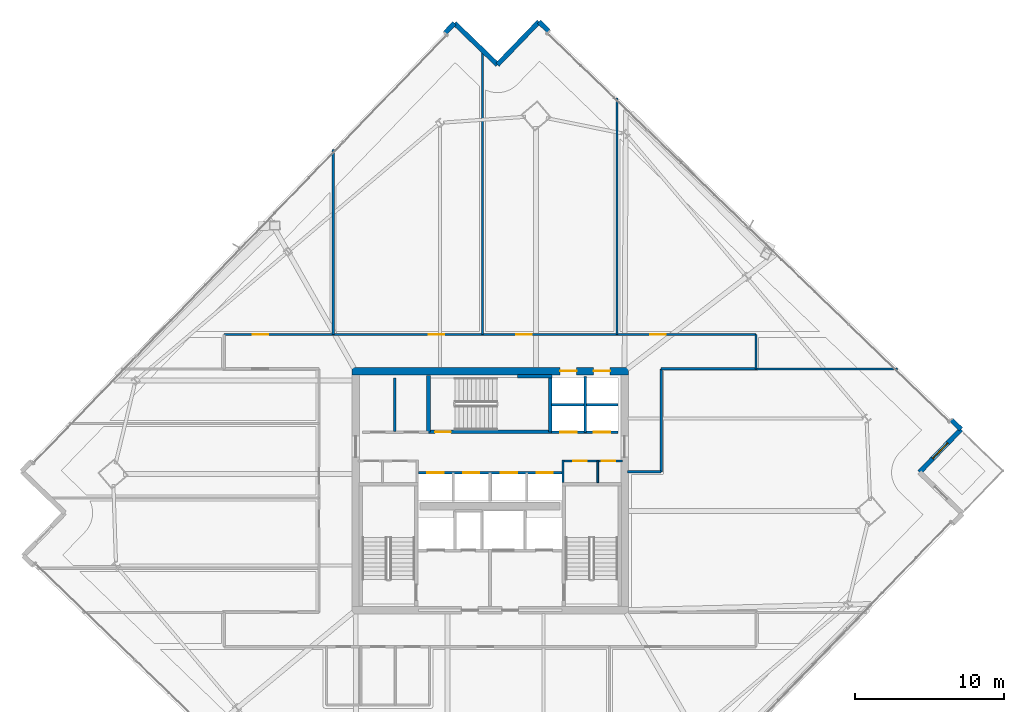
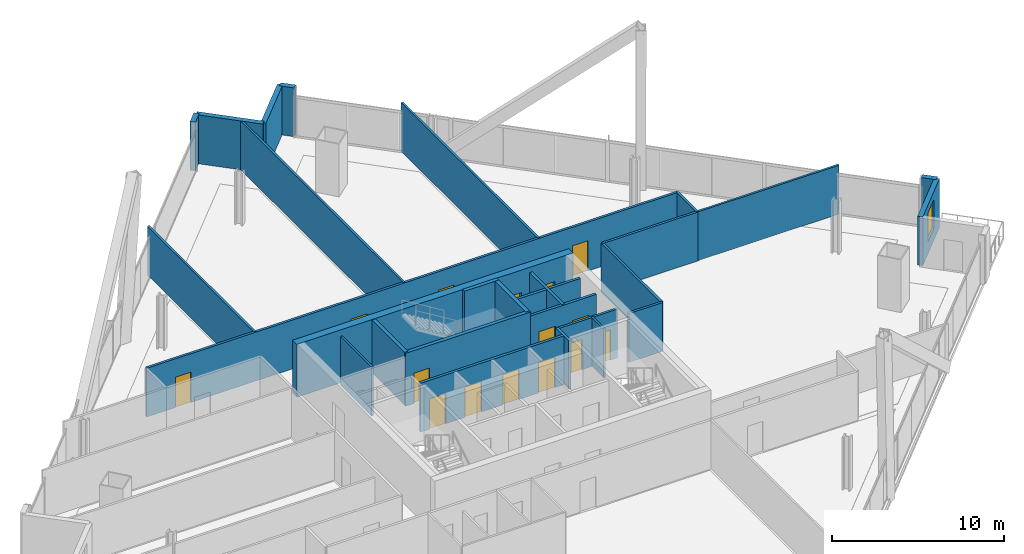
# One storey, part 27 of 33: 28 walls, 15 doors, 1 window, 16 openings.
"""IFC4 building model written with IfcOpenShell, lengths in metres."""

import ifcopenshell
import ifcopenshell.guid

model = None  # the IFC model being written
_history = None  # IfcOwnerHistory: only IFC2X3 demands one
_inside = {}  # id of a spatial element -> (the spatial element, [elements in it])
_under = {}  # id of a project, library or spatial element -> (it, [spatial elements below it])
_declared = {}  # id of a project -> (the project, [libraries it declares])
_typed = {}  # id of a type object -> (the type object, [elements of that type])
_made_of = {}  # id of a material, layer set ... -> (it, [elements and type objects made of it])


def new_model(schema):
    """Start an empty IFC model of exactly this schema.

    Asked for "IFC4X3", IfcOpenShell would pick the latest addendum, in which some entities
    have other attributes; the version numbers below select the first issue.
    IFC2X3 requires an IfcOwnerHistory on every rooted entity: one is made here for all.
    """
    global model, _history
    if schema == "IFC4X3":
        model = ifcopenshell.file(schema_version=(4, 3, 0, 0))
    else:
        model = ifcopenshell.file(schema=schema)
    _inside.clear()
    _under.clear()
    _declared.clear()
    _typed.clear()
    _made_of.clear()
    _history = None
    if model.schema == "IFC2X3":
        org = make("IfcOrganization", Name="unknown")
        user = make(
            "IfcPersonAndOrganization",
            ThePerson=make("IfcPerson", FamilyName="unknown"),
            TheOrganization=org,
        )
        app = make(
            "IfcApplication",
            ApplicationDeveloper=org,
            Version="unknown",
            ApplicationFullName="unknown",
            ApplicationIdentifier="unknown",
        )
        _history = make(
            "IfcOwnerHistory",
            OwningUser=user,
            OwningApplication=app,
            ChangeAction="ADDED",
            CreationDate=0,
        )
    return model


def make(cls, **values):
    """One entity of the class cls with the attributes given. An attribute that is None is left unset."""
    return model.create_entity(
        cls, **{name: value for name, value in values.items() if value is not None}
    )


def rooted(cls, **values):
    """An entity with a GlobalId (a new one), such as an element, a storey or a relation."""
    return make(cls, GlobalId=ifcopenshell.guid.new(), OwnerHistory=_history, **values)


def si_unit(unit_type, name, prefix=None):
    """IfcSIUnit, for example si_unit("LENGTHUNIT", "METRE", prefix="MILLI")."""
    return make("IfcSIUnit", UnitType=unit_type, Prefix=prefix, Name=name)


def assignment(units):
    """IfcUnitAssignment: the units of a project."""
    return None if units is None else make("IfcUnitAssignment", Units=units)


def point(xyz):
    """IfcCartesianPoint."""
    return None if xyz is None else make("IfcCartesianPoint", Coordinates=xyz)


def direction(xyz):
    """IfcDirection."""
    return None if xyz is None else make("IfcDirection", DirectionRatios=xyz)


def frame(location, z_axis=None, x_axis=None):
    """IfcAxis2Placement3D, a coordinate frame: its origin and axes. An axis left out is left unset."""
    return make(
        "IfcAxis2Placement3D",
        Location=point(location),
        Axis=direction(z_axis),
        RefDirection=direction(x_axis),
    )


def frame_2d(location, x_axis=None):
    """IfcAxis2Placement2D, a coordinate frame in the plane: its origin and x axis."""
    return make(
        "IfcAxis2Placement2D", Location=point(location), RefDirection=direction(x_axis)
    )


def origin():
    """The frame at (0, 0, 0) with its axes left unset."""
    return frame((0.0, 0.0, 0.0))


def place(relative_to, where):
    """IfcLocalPlacement: puts the frame where relative to a parent placement (None: the world)."""
    return make(
        "IfcLocalPlacement", PlacementRelTo=relative_to, RelativePlacement=where
    )


def context(
    kind, dimensions, precision=None, world=None, true_north=None, identifier=None
):
    """IfcGeometricRepresentationContext, for example the 3D "Model" context."""
    return make(
        "IfcGeometricRepresentationContext",
        ContextIdentifier=identifier,
        ContextType=kind,
        CoordinateSpaceDimension=dimensions,
        Precision=precision,
        WorldCoordinateSystem=world,
        TrueNorth=true_north,
    )


def subcontext(parent, identifier, kind, view, scale=None):
    """IfcGeometricRepresentationSubContext, for example "Body" below "Model"."""
    return make(
        "IfcGeometricRepresentationSubContext",
        ContextIdentifier=identifier,
        ContextType=kind,
        ParentContext=parent,
        TargetScale=scale,
        TargetView=view,
    )


def project(units=None, contexts=None):
    """IfcProject with its units and contexts."""
    return rooted(
        "IfcProject",
        Name="project",
        RepresentationContexts=contexts,
        UnitsInContext=assignment(units),
    )


def spatial(cls, under=None, at=None, **own):
    """A site, building, storey or space (cls), placed at a placement, below another one or the project."""
    s = rooted(cls, ObjectPlacement=at, **own)
    if under is not None:
        _under.setdefault(under.id(), (under, []))[1].append(s)
    return s


def profile(cls, at=None, kind="AREA", **sizes):
    """A parametric profile (cls). Its sizes go by their IFC names, for example OverallWidth=200.0."""
    return make(cls, ProfileType=kind, Position=at, **sizes)


def rectangle(**sizes):
    """IfcRectangleProfileDef."""
    return profile("IfcRectangleProfileDef", **sizes)


def extrude(swept, where, along, depth):
    """IfcExtrudedAreaSolid: the profile swept, set in the frame where, extruded along a direction by depth."""
    return make(
        "IfcExtrudedAreaSolid",
        SweptArea=swept,
        Position=where,
        ExtrudedDirection=direction(along),
        Depth=depth,
    )


def shape(context_of_items, identifier, shape_type, items):
    """IfcShapeRepresentation: the items that make up one representation, for example the "Body"."""
    return make(
        "IfcShapeRepresentation",
        ContextOfItems=context_of_items,
        RepresentationIdentifier=identifier,
        RepresentationType=shape_type,
        Items=items,
    )


def material(Name=None, Category=None):
    """IfcMaterial."""
    return make("IfcMaterial", Name=Name, Category=Category)


def layer(
    of_material, thickness, ventilated=None, Name=None, Category=None, Priority=None
):
    """IfcMaterialLayer: one layer of a wall or slab, of a material (None: an air gap)."""
    return make(
        "IfcMaterialLayer",
        Material=of_material,
        LayerThickness=thickness,
        IsVentilated=ventilated,
        Name=Name,
        Category=Category,
        Priority=Priority,
    )


def layer_set(layers, Name=None):
    """IfcMaterialLayerSet."""
    return make("IfcMaterialLayerSet", MaterialLayers=layers, LayerSetName=Name)


def made_of(thing, what):
    """Note that an element or type object is made of a material, layer set ...; save() writes the relation."""
    if what is not None:
        _made_of.setdefault(what.id(), (what, []))[1].append(thing)
    return thing


def type_object(cls, material=None, **own):
    """A type object (cls), such as IfcWallType, which elements share."""
    return made_of(rooted(cls, **own), material)


def element(
    cls,
    number,
    at=None,
    inside=None,
    cuts=None,
    type_object=None,
    material=None,
    context=None,
    identifier="Body",
    shape_type=None,
    held_by="IfcProductDefinitionShape",
    body=None,
    shapes=None,
    **own,
):
    """One element of the class cls, such as IfcWall. Its Tag is "e" and its number.

    at: its placement. inside: the storey or other place that contains it. cuts: it is an
    opening in that element (IfcRelVoidsElement). A single representation is given by context,
    identifier, shape_type and body (its items); several are given by shapes. held_by: the class
    of the entity that holds the representations. save() writes the other relations.
    """
    e = rooted(cls, Tag="e%d" % number, ObjectPlacement=at, **own)
    if body is not None:
        shapes = [shape(context, identifier, shape_type, body)]
    if shapes is not None:
        e.Representation = make(held_by, Representations=shapes)
    if inside is not None:
        _inside.setdefault(inside.id(), (inside, []))[1].append(e)
    if cuts is not None:
        rooted(
            "IfcRelVoidsElement", RelatingBuildingElement=cuts, RelatedOpeningElement=e
        )
    if type_object is not None:
        _typed.setdefault(type_object.id(), (type_object, []))[1].append(e)
    return made_of(e, material)


def fill(opening, filler):
    """IfcRelFillsElement: the door or window that sits in an opening."""
    return rooted(
        "IfcRelFillsElement",
        RelatingOpeningElement=opening,
        RelatedBuildingElement=filler,
    )


def aggregate(whole, parts):
    """IfcRelAggregates: a whole, such as a stair, and the parts it consists of."""
    return rooted("IfcRelAggregates", RelatingObject=whole, RelatedObjects=parts)


def save(model, path):
    """Write the relations noted so far, then the file.

    IfcRelAggregates (storeys below a building ...), IfcRelContainedInSpatialStructure (elements
    in a storey), IfcRelDefinesByType, IfcRelAssociatesMaterial and IfcRelDeclares: one each for
    every whole, place, type object, material and project.
    """
    for whole, parts in _under.values():
        aggregate(whole, parts)
    for where, things in _inside.values():
        rooted(
            "IfcRelContainedInSpatialStructure",
            RelatedElements=things,
            RelatingStructure=where,
        )
    for kind, things in _typed.values():
        rooted("IfcRelDefinesByType", RelatedObjects=things, RelatingType=kind)
    for what, things in _made_of.values():
        rooted("IfcRelAssociatesMaterial", RelatedObjects=things, RelatingMaterial=what)
    for by, libraries in _declared.values():
        rooted("IfcRelDeclares", RelatingContext=by, RelatedDefinitions=libraries)
    model.write(path)


model = new_model("IFC4")

# Units and contexts
model_context = context("Model", 3, precision=1e-05, world=origin(), true_north=direction((0.0, 1.0)))
body_context = subcontext(model_context, "Body", "Model", "MODEL_VIEW")
ifc_project = project(units=[si_unit("LENGTHUNIT", "METRE"), si_unit("AREAUNIT", "SQUARE_METRE"), si_unit("VOLUMEUNIT", "CUBIC_METRE"), si_unit("PLANEANGLEUNIT", "RADIAN"), si_unit("MASSUNIT", "GRAM", prefix="KILO")], contexts=[model_context])

# Site, building, storey
site_placement = place(None, origin())
site = spatial("IfcSite", under=ifc_project, at=site_placement, CompositionType="ELEMENT")
building_placement = place(site_placement, origin())
building = spatial("IfcBuilding", under=site, at=building_placement, Name="Haldenkirk Collegiate Tower", CompositionType="ELEMENT")
storey_placement = place(building_placement, frame((0.0, 0.0, 181.949951171875)))
storey = spatial("IfcBuildingStorey", under=building, at=storey_placement, Name="L45", CompositionType="ELEMENT", Elevation=181.949951171875)

# Wall, openings, doors
ifc_material_1 = material(Name="Concrete f'c 55 MPa", Category="concrete")
ifc_layer_1 = layer(ifc_material_1, 0.5)
ifc_layer_set_1 = layer_set([ifc_layer_1], Name="Concrete f'c 55 MPa")
wall_type_1 = type_object("IfcWallType", Name="WL-CORE-500", PredefinedType="SHEAR", material=ifc_layer_set_1)
wall_1_placement = place(storey_placement, frame((26.75, 34.0, 0.0), z_axis=(0.0, 0.0, 1.0), x_axis=(1.0, 0.0, 0.0)))
wall_1 = element("IfcWall", 1, at=wall_1_placement, inside=storey, type_object=wall_type_1, Name="L45 central core shear wall N", PredefinedType="SHEAR", context=body_context, shape_type="SweptSolid", body=[
    extrude(rectangle(XDim=18.5, YDim=0.5, at=frame_2d((9.25, 0.0))), origin(), (0.0, 0.0, 1.0), 3.75),
])
opening_1_placement = place(wall_1_placement, frame((13.93505859375, 0.0, 0.0)))
opening_1 = element("IfcOpeningElement", 2, at=opening_1_placement, cuts=wall_1, Name="Opening LD-11", PredefinedType="OPENING", context=body_context, shape_type="SweptSolid", body=[
    extrude(rectangle(XDim=1.10009765625, YDim=2.14990234375, at=frame_2d((0.550048828125, 1.074951171875))), frame((0.0, 0.260009765625, 0.0), z_axis=(0.0, -1.0, 0.0), x_axis=(1.0, 0.0, 0.0)), (0.0, 0.0, 1.0), 0.52001953125),
])
opening_2_placement = place(wall_1_placement, frame((16.18505859375, 0.0, 0.0)))
opening_2 = element("IfcOpeningElement", 3, at=opening_2_placement, cuts=wall_1, Name="Opening LD-11", PredefinedType="OPENING", context=body_context, shape_type="SweptSolid", body=[
    extrude(rectangle(XDim=1.10009765625, YDim=2.14990234375, at=frame_2d((0.550048828125, 1.074951171875))), frame((0.0, 0.260009765625, 0.0), z_axis=(0.0, -1.0, 0.0), x_axis=(1.0, 0.0, 0.0)), (0.0, 0.0, 1.0), 0.52001953125),
])
ifc_material_2 = material(Name="Brushed architectural stainless steel", Category="steel")
ifc_layer_2 = layer(ifc_material_2, 0.06005859375)
ifc_layer_set_2 = layer_set([ifc_layer_2], Name="Brushed architectural stainless steel")
door_type_1 = type_object("IfcDoorType", Name="LD-PASS-1100", OperationType="NOTDEFINED", PredefinedType="DOOR", material=ifc_layer_set_2)
door_1_placement = place(opening_1_placement, origin())
door_1 = element("IfcDoor", 4, at=door_1_placement, inside=storey, type_object=door_type_1, Name="L45 Elevator PM3 sliding landing door", OperationType="SLIDING_TO_LEFT", OverallHeight=2.14990234375, OverallWidth=1.10009765625, PredefinedType="DOOR", context=body_context, shape_type="SweptSolid", body=[
    extrude(rectangle(XDim=1.10009765625, YDim=2.14990234375, at=frame_2d((0.550048828125, 1.074951171875))), frame((0.0, 0.02490234375, 0.0), z_axis=(0.0, -1.0, 0.0), x_axis=(1.0, 0.0, 0.0)), (0.0, 0.0, 1.0), 0.050048828125),
])
fill(opening_1, door_1)
door_2_placement = place(opening_2_placement, origin())
door_2 = element("IfcDoor", 5, at=door_2_placement, inside=storey, type_object=door_type_1, Name="L45 Elevator PM4 sliding landing door", OperationType="SLIDING_TO_LEFT", OverallHeight=2.14990234375, OverallWidth=1.10009765625, PredefinedType="DOOR", context=body_context, shape_type="SweptSolid", body=[
    extrude(rectangle(XDim=1.10009765625, YDim=2.14990234375, at=frame_2d((0.550048828125, 1.074951171875))), frame((0.0, 0.02490234375, 0.0), z_axis=(0.0, -1.0, 0.0), x_axis=(1.0, 0.0, 0.0)), (0.0, 0.0, 1.0), 0.050048828125),
])
fill(opening_2, door_2)

# Wall, opening, window
ifc_material_3 = material(Name="Precast concrete f'c 40 MPa", Category="concrete")
ifc_layer_3 = layer(ifc_material_3, 0.320068359375)
ifc_layer_set_3 = layer_set([ifc_layer_3], Name="Precast concrete f'c 40 MPa")
wall_type_2 = type_object("IfcWallType", Name="WL-EXT-TWR-320", PredefinedType="STANDARD", material=ifc_layer_set_3)
wall_2_placement = place(storey_placement, frame((67.523193359375, 30.10400390625, 0.0), z_axis=(0.0, 0.0, 1.0), x_axis=(-0.694670753348, -0.719327842116, 0.0)))
wall_2 = element("IfcWall", 6, at=wall_2_placement, inside=storey, type_object=wall_type_2, Name="L45 bronze precast notch wall 03", PredefinedType="STANDARD", context=body_context, shape_type="SweptSolid", body=[
    extrude(rectangle(XDim=4.000244140625, YDim=0.320068359375, at=frame_2d((2.0, 0.0))), origin(), (0.0, 0.0, 1.0), 3.4599609375),
])
opening_3_placement = place(wall_2_placement, frame((1.27490234375, 0.0, 0.85009765625)))
opening_3 = element("IfcOpeningElement", 7, at=opening_3_placement, cuts=wall_2, Name="Opening W-05", PredefinedType="OPENING", context=body_context, shape_type="SweptSolid", body=[
    extrude(rectangle(XDim=1.449951171875, YDim=2.050048828125, at=frame_2d((0.72509765625, 1.02490234375))), frame((0.0, 0.169921875, 0.0), z_axis=(0.0, -1.0, 0.0), x_axis=(1.0, 0.0, 0.0)), (0.0, 0.0, 1.0), 0.340087890625),
])
ifc_material_4 = material(Name="Low-E argon triple insulating glass", Category="glass")
ifc_layer_4 = layer(ifc_material_4, 0.090087890625)
ifc_layer_set_4 = layer_set([ifc_layer_4], Name="Low-E argon triple insulating glass")
window_type = type_object("IfcWindowType", Name="WN-Z3-1450X2050", PartitioningType="SINGLE_PANEL", PredefinedType="WINDOW", material=ifc_layer_set_4)
window_placement = place(opening_3_placement, origin())
window = element("IfcWindow", 8, at=window_placement, inside=storey, type_object=window_type, Name="L45 precast-frame academic window 2", OverallHeight=2.050048828125, OverallWidth=1.449951171875, PartitioningType="SINGLE_PANEL", PredefinedType="WINDOW", context=body_context, shape_type="SweptSolid", body=[
    extrude(rectangle(XDim=1.449951171875, YDim=2.050048828125, at=frame_2d((0.72509765625, 1.02490234375))), frame((0.0, 0.030029296875, 0.0), z_axis=(0.0, -1.0, 0.0), x_axis=(1.0, 0.0, 0.0)), (0.0, 0.0, 1.0), 0.06005859375),
])
fill(opening_3, window)

# Walls
for number, where, z_axis, x_axis, name in (
    (9, (39.27099609375, 57.38671875, 0.0), (0.0, 0.0, 1.0), (0.719340699073, -0.694657439791, 0.0), "L45 precast corner pier EL"),
    (10, (66.875732421875, 30.729248046875, 0.0), (0.0, 0.0, 1.0), (0.719340699073, -0.694657439791, 0.0), "L45 precast corner pier ER"),
):
    element("IfcWall", number, at=place(storey_placement, frame(where, z_axis=z_axis, x_axis=x_axis)), inside=storey, type_object=wall_type_2, Name=name, PredefinedType="STANDARD", context=body_context, shape_type="SweptSolid", body=[
        extrude(rectangle(XDim=0.900146484375, YDim=0.320068359375, at=frame_2d((0.4501953125, 0.0))), origin(), (0.0, 0.0, 1.0), 3.4599609375),
    ])
wall_3_placement = place(storey_placement, frame((36.492431640625, 54.50927734375, 0.0), z_axis=(0.0, 0.0, 1.0), x_axis=(0.694639171191, 0.719358340361, 0.0)))
element("IfcWall", 11, at=wall_3_placement, inside=storey, type_object=wall_type_2, Name="L45 bronze precast notch wall 05", PredefinedType="STANDARD", context=body_context, shape_type="SweptSolid", body=[
    extrude(rectangle(XDim=4.0, YDim=0.320068359375, at=frame_2d((2.0, 0.0))), origin(), (0.0, 0.0, 1.0), 3.4599609375),
])
wall_4_placement = place(storey_placement, frame((33.614990234375, 57.2880859375, 0.0), z_axis=(0.0, 0.0, 1.0), x_axis=(0.719327842116, -0.694670753348, 0.0)))
element("IfcWall", 12, at=wall_4_placement, inside=storey, type_object=wall_type_2, Name="L45 bronze precast notch wall 06", PredefinedType="STANDARD", context=body_context, shape_type="SweptSolid", body=[
    extrude(rectangle(XDim=4.000244140625, YDim=0.320068359375, at=frame_2d((2.0, 0.0))), origin(), (0.0, 0.0, 1.0), 3.4599609375),
])
wall_5_placement = place(storey_placement, frame((32.989990234375, 56.640625, 0.0), z_axis=(0.0, 0.0, 1.0), x_axis=(0.69451704431, 0.71947625059, 0.0)))
element("IfcWall", 13, at=wall_5_placement, inside=storey, type_object=wall_type_2, Name="L45 precast corner pier NR", PredefinedType="STANDARD", context=body_context, shape_type="SweptSolid", body=[
    extrude(rectangle(XDim=0.89990234375, YDim=0.320068359375, at=frame_2d((0.449951171875, 0.0))), origin(), (0.0, 0.0, 1.0), 3.4599609375),
])

# Wall, openings, doors
ifc_material_5 = material(Name="Acoustic fire-rated gypsum partition", Category="concrete")
ifc_layer_5 = layer(ifc_material_5, 0.159912109375)
ifc_layer_set_5 = layer_set([ifc_layer_5], Name="Acoustic fire-rated gypsum partition")
wall_type_3 = type_object("IfcWallType", Name="WL-INT-CORR-160", PredefinedType="PARTITIONING", material=ifc_layer_set_5)
wall_6_placement = place(storey_placement, frame((40.800048828125, 27.97998046875, 0.0), z_axis=(0.0, 0.0, 1.0), x_axis=(1.0, 0.0, 0.0)))
wall_6 = element("IfcWall", 14, at=wall_6_placement, inside=storey, type_object=wall_type_3, Name="L45 interior partition IW-L45-VCSE-N", PredefinedType="PARTITIONING", context=body_context, shape_type="SweptSolid", body=[
    extrude(rectangle(XDim=4.050048828125, YDim=0.159912109375, at=frame_2d((2.02490234375, 0.0))), origin(), (0.0, 0.0, 1.0), 3.4599609375),
])
opening_4_placement = place(wall_6_placement, frame((0.77001953125, 0.0, 0.0)))
opening_4 = element("IfcOpeningElement", 15, at=opening_4_placement, cuts=wall_6, Name="Opening D-11", PredefinedType="OPENING", context=body_context, shape_type="SweptSolid", body=[
    extrude(rectangle(XDim=0.89990234375, YDim=2.14990234375, at=frame_2d((0.449951171875, 1.074951171875))), frame((0.0, 0.08984375, 0.0), z_axis=(0.0, -1.0, 0.0), x_axis=(1.0, 0.0, 0.0)), (0.0, 0.0, 1.0), 0.179931640625),
])
opening_5_placement = place(wall_6_placement, frame((2.679931640625, 0.0, 0.0)))
opening_5 = element("IfcOpeningElement", 16, at=opening_5_placement, cuts=wall_6, Name="Opening D-11", PredefinedType="OPENING", context=body_context, shape_type="SweptSolid", body=[
    extrude(rectangle(XDim=0.89990234375, YDim=2.14990234375, at=frame_2d((0.449951171875, 1.074951171875))), frame((0.0, 0.08984375, 0.0), z_axis=(0.0, -1.0, 0.0), x_axis=(1.0, 0.0, 0.0)), (0.0, 0.0, 1.0), 0.179931640625),
])
ifc_material_6 = material(Name="Solid-core architectural oak fire door", Category="wood")
ifc_layer_6 = layer(ifc_material_6, 0.06005859375)
ifc_layer_set_6 = layer_set([ifc_layer_6], Name="Solid-core architectural oak fire door")
door_type_2 = type_object("IfcDoorType", Name="DR-INT-FD60-900", OperationType="NOTDEFINED", PredefinedType="DOOR", material=ifc_layer_set_6)
door_3_placement = place(opening_4_placement, origin())
door_3 = element("IfcDoor", 17, at=door_3_placement, inside=storey, type_object=door_type_2, Name="L45 core archive door", OperationType="SINGLE_SWING_LEFT", OverallHeight=2.14990234375, OverallWidth=0.89990234375, PredefinedType="DOOR", context=body_context, shape_type="SweptSolid", body=[
    extrude(rectangle(XDim=0.89990234375, YDim=2.14990234375, at=frame_2d((0.449951171875, 1.074951171875))), frame((0.0, 0.02490234375, 0.0), z_axis=(0.0, -1.0, 0.0), x_axis=(1.0, 0.0, 0.0)), (0.0, 0.0, 1.0), 0.050048828125),
])
fill(opening_4, door_3)
door_4_placement = place(opening_5_placement, origin())
door_4 = element("IfcDoor", 18, at=door_4_placement, inside=storey, type_object=door_type_2, Name="L45 core telecom door", OperationType="SINGLE_SWING_RIGHT", OverallHeight=2.14990234375, OverallWidth=0.89990234375, PredefinedType="DOOR", context=body_context, shape_type="SweptSolid", body=[
    extrude(rectangle(XDim=0.89990234375, YDim=2.14990234375, at=frame_2d((0.449951171875, 1.074951171875))), frame((0.0, 0.02490234375, 0.0), z_axis=(0.0, -1.0, 0.0), x_axis=(1.0, 0.0, 0.0)), (0.0, 0.0, 1.0), 0.050048828125),
])
fill(opening_5, door_4)

# Wall
wall_7_placement = place(storey_placement, frame((40.8798828125, 26.5400390625, 0.0), z_axis=(0.0, 0.0, 1.0), x_axis=(0.0, 1.0, 0.0)))
element("IfcWall", 19, at=wall_7_placement, inside=storey, type_object=wall_type_3, Name="L45 interior partition IW-L45-VCSE-W", PredefinedType="PARTITIONING", context=body_context, shape_type="SweptSolid", body=[
    extrude(rectangle(XDim=1.510009765625, YDim=0.159912109375, at=frame_2d((0.7548828125, 0.0))), origin(), (0.0, 0.0, 1.0), 3.4599609375),
])

# Wall, openings, doors
wall_8_placement = place(storey_placement, frame((18.199951171875, 36.449951171875, 0.0), z_axis=(0.0, 0.0, 1.0), x_axis=(1.0, 0.0, 0.0)))
wall_8 = element("IfcWall", 20, at=wall_8_placement, inside=storey, type_object=wall_type_3, Name="L45 interior partition IW-L45-CN", PredefinedType="PARTITIONING", context=body_context, shape_type="SweptSolid", body=[
    extrude(rectangle(XDim=35.60009765625, YDim=0.159912109375, at=frame_2d((17.800048828125, 0.0))), origin(), (0.0, 0.0, 1.0), 3.4599609375),
])
opening_6_placement = place(wall_8_placement, frame((1.9169921875, 0.0, 0.0)))
opening_6 = element("IfcOpeningElement", 21, at=opening_6_placement, cuts=wall_8, Name="Opening D-09", PredefinedType="OPENING", context=body_context, shape_type="SweptSolid", body=[
    extrude(rectangle(XDim=1.050048828125, YDim=2.14990234375, at=frame_2d((0.52490234375, 1.074951171875))), frame((0.0, 0.08984375, 0.0), z_axis=(0.0, -1.0, 0.0), x_axis=(1.0, 0.0, 0.0)), (0.0, 0.0, 1.0), 0.179931640625),
])
opening_7_placement = place(wall_8_placement, frame((13.695068359375, 0.0, 0.0)))
opening_7 = element("IfcOpeningElement", 22, at=opening_7_placement, cuts=wall_8, Name="Opening D-09", PredefinedType="OPENING", context=body_context, shape_type="SweptSolid", body=[
    extrude(rectangle(XDim=1.050048828125, YDim=2.14990234375, at=frame_2d((0.52490234375, 1.074951171875))), frame((0.0, 0.08984375, 0.0), z_axis=(0.0, -1.0, 0.0), x_axis=(1.0, 0.0, 0.0)), (0.0, 0.0, 1.0), 0.179931640625),
])
opening_8_placement = place(wall_8_placement, frame((19.534912109375, 0.0, 0.0)))
opening_8 = element("IfcOpeningElement", 23, at=opening_8_placement, cuts=wall_8, Name="Opening D-09", PredefinedType="OPENING", context=body_context, shape_type="SweptSolid", body=[
    extrude(rectangle(XDim=1.050048828125, YDim=2.14990234375, at=frame_2d((0.52490234375, 1.074951171875))), frame((0.0, 0.08984375, 0.0), z_axis=(0.0, -1.0, 0.0), x_axis=(1.0, 0.0, 0.0)), (0.0, 0.0, 1.0), 0.179931640625),
])
opening_9_placement = place(wall_8_placement, frame((28.52490234375, 0.0, 0.0)))
opening_9 = element("IfcOpeningElement", 24, at=opening_9_placement, cuts=wall_8, Name="Opening D-09", PredefinedType="OPENING", context=body_context, shape_type="SweptSolid", body=[
    extrude(rectangle(XDim=1.050048828125, YDim=2.14990234375, at=frame_2d((0.52490234375, 1.074951171875))), frame((0.0, 0.08984375, 0.0), z_axis=(0.0, -1.0, 0.0), x_axis=(1.0, 0.0, 0.0)), (0.0, 0.0, 1.0), 0.179931640625),
])
ifc_layer_7 = layer(ifc_material_6, 0.06005859375)
ifc_layer_set_7 = layer_set([ifc_layer_7], Name="Solid-core architectural oak fire door")
door_type_3 = type_object("IfcDoorType", Name="DR-INT-FD60-1050", OperationType="NOTDEFINED", PredefinedType="DOOR", material=ifc_layer_set_7)
door_5_placement = place(opening_6_placement, origin())
door_5 = element("IfcDoor", 25, at=door_5_placement, inside=storey, type_object=door_type_3, Name="L45 Hospitality Tea Kitchen 3 door", OperationType="SINGLE_SWING_RIGHT", OverallHeight=2.14990234375, OverallWidth=1.050048828125, PredefinedType="DOOR", context=body_context, shape_type="SweptSolid", body=[
    extrude(rectangle(XDim=1.050048828125, YDim=2.14990234375, at=frame_2d((0.52490234375, 1.074951171875))), frame((0.0, 0.02490234375, 0.0), z_axis=(0.0, -1.0, 0.0), x_axis=(1.0, 0.0, 0.0)), (0.0, 0.0, 1.0), 0.050048828125),
])
fill(opening_6, door_5)
door_6_placement = place(opening_7_placement, origin())
door_6 = element("IfcDoor", 26, at=door_6_placement, inside=storey, type_object=door_type_3, Name="L45 Faculty Tea Kitchen 4 door", OperationType="SINGLE_SWING_LEFT", OverallHeight=2.14990234375, OverallWidth=1.050048828125, PredefinedType="DOOR", context=body_context, shape_type="SweptSolid", body=[
    extrude(rectangle(XDim=1.050048828125, YDim=2.14990234375, at=frame_2d((0.52490234375, 1.074951171875))), frame((0.0, 0.02490234375, 0.0), z_axis=(0.0, -1.0, 0.0), x_axis=(1.0, 0.0, 0.0)), (0.0, 0.0, 1.0), 0.050048828125),
])
fill(opening_7, door_6)
door_7_placement = place(opening_8_placement, origin())
door_7 = element("IfcDoor", 27, at=door_7_placement, inside=storey, type_object=door_type_3, Name="L45 Graduate Seminar Room 5 door", OperationType="SINGLE_SWING_RIGHT", OverallHeight=2.14990234375, OverallWidth=1.050048828125, PredefinedType="DOOR", context=body_context, shape_type="SweptSolid", body=[
    extrude(rectangle(XDim=1.050048828125, YDim=2.14990234375, at=frame_2d((0.52490234375, 1.074951171875))), frame((0.0, 0.02490234375, 0.0), z_axis=(0.0, -1.0, 0.0), x_axis=(1.0, 0.0, 0.0)), (0.0, 0.0, 1.0), 0.050048828125),
])
fill(opening_8, door_7)
door_8_placement = place(opening_9_placement, origin())
door_8 = element("IfcDoor", 28, at=door_8_placement, inside=storey, type_object=door_type_3, Name="L45 Colloquium Conference Room 6 door", OperationType="SINGLE_SWING_LEFT", OverallHeight=2.14990234375, OverallWidth=1.050048828125, PredefinedType="DOOR", context=body_context, shape_type="SweptSolid", body=[
    extrude(rectangle(XDim=1.050048828125, YDim=2.14990234375, at=frame_2d((0.52490234375, 1.074951171875))), frame((0.0, 0.02490234375, 0.0), z_axis=(0.0, -1.0, 0.0), x_axis=(1.0, 0.0, 0.0)), (0.0, 0.0, 1.0), 0.050048828125),
])
fill(opening_9, door_8)

# Walls
wall_9_placement = place(storey_placement, frame((47.449951171875, 34.14990234375, 0.0), z_axis=(0.0, 0.0, 1.0), x_axis=(1.0, 0.0, 0.0)))
element("IfcWall", 29, at=wall_9_placement, inside=storey, type_object=wall_type_3, Name="L45 interior partition IW-L45-CNE", PredefinedType="PARTITIONING", context=body_context, shape_type="SweptSolid", body=[
    extrude(rectangle(XDim=6.35009765625, YDim=0.159912109375, at=frame_2d((3.175048828125, 0.0))), origin(), (0.0, 0.0, 1.0), 3.4599609375),
])
wall_10_placement = place(storey_placement, frame((47.449951171875, 27.25, 0.0), z_axis=(0.0, 0.0, 1.0), x_axis=(0.0, 1.0, 0.0)))
element("IfcWall", 30, at=wall_10_placement, inside=storey, type_object=wall_type_3, Name="L45 interior partition IW-L45-CE", PredefinedType="PARTITIONING", context=body_context, shape_type="SweptSolid", body=[
    extrude(rectangle(XDim=6.89990234375, YDim=0.159912109375, at=frame_2d((3.449951171875, 0.0))), origin(), (0.0, 0.0, 1.0), 3.4599609375),
])
wall_11_placement = place(storey_placement, frame((45.199951171875, 27.25, 0.0), z_axis=(0.0, 0.0, 1.0), x_axis=(1.0, 0.0, 0.0)))
element("IfcWall", 31, at=wall_11_placement, inside=storey, type_object=wall_type_3, Name="L45 interior partition IW-L45-CES", PredefinedType="PARTITIONING", context=body_context, shape_type="SweptSolid", body=[
    extrude(rectangle(XDim=2.25, YDim=0.159912109375, at=frame_2d((1.125, 0.0))), origin(), (0.0, 0.0, 1.0), 3.4599609375),
])
wall_12_placement = place(storey_placement, frame((53.800048828125, 34.14990234375, 0.0), z_axis=(0.0, 0.0, 1.0), x_axis=(0.0, 1.0, 0.0)))
element("IfcWall", 32, at=wall_12_placement, inside=storey, type_object=wall_type_3, Name="L45 interior partition IW-L45-CNR", PredefinedType="PARTITIONING", context=body_context, shape_type="SweptSolid", body=[
    extrude(rectangle(XDim=2.300048828125, YDim=0.159912109375, at=frame_2d((1.14990234375, 0.0))), origin(), (0.0, 0.0, 1.0), 3.4599609375),
])
ifc_layer_8 = layer(ifc_material_5, 0.139892578125)
ifc_layer_set_8 = layer_set([ifc_layer_8], Name="Acoustic fire-rated gypsum partition")
wall_type_4 = type_object("IfcWallType", Name="WL-INT-DIV-140", PredefinedType="PARTITIONING", material=ifc_layer_set_8)
wall_13_placement = place(storey_placement, frame((29.6201171875, 29.949951171875, 0.0), z_axis=(0.0, 0.0, 1.0), x_axis=(0.0, 1.0, 0.0)))
element("IfcWall", 33, at=wall_13_placement, inside=storey, type_object=wall_type_4, Name="L45 interior partition IW-L45-PLDIV", PredefinedType="PARTITIONING", context=body_context, shape_type="SweptSolid", body=[
    extrude(rectangle(XDim=3.60009765625, YDim=0.139892578125, at=frame_2d((1.800048828125, 0.0))), origin(), (0.0, 0.0, 1.0), 3.4599609375),
])
wall_14_placement = place(storey_placement, frame((53.800048828125, 34.14990234375, 0.0), z_axis=(0.0, 0.0, 1.0), x_axis=(1.0, 0.0, 0.0)))
element("IfcWall", 34, at=wall_14_placement, inside=storey, type_object=wall_type_4, Name="L45 interior partition IW-L45-BEN", PredefinedType="PARTITIONING", context=body_context, shape_type="SweptSolid", body=[
    extrude(rectangle(XDim=9.475830078125, YDim=0.139892578125, at=frame_2d((4.73779296875, 0.0))), origin(), (0.0, 0.0, 1.0), 3.4599609375),
])
wall_15_placement = place(storey_placement, frame((25.5, 36.449951171875, 0.0), z_axis=(0.0, 0.0, 1.0), x_axis=(0.0, 1.0, 0.0)))
element("IfcWall", 35, at=wall_15_placement, inside=storey, type_object=wall_type_4, Name="L45 interior partition IW-L45-RN1", PredefinedType="PARTITIONING", context=body_context, shape_type="SweptSolid", body=[
    extrude(rectangle(XDim=12.376953125, YDim=0.139892578125, at=frame_2d((6.1884765625, 0.0))), origin(), (0.0, 0.0, 1.0), 3.4599609375),
])
wall_16_placement = place(storey_placement, frame((35.5, 36.449951171875, 0.0), z_axis=(0.0, 0.0, 1.0), x_axis=(0.0, 1.0, 0.0)))
element("IfcWall", 36, at=wall_16_placement, inside=storey, type_object=wall_type_4, Name="L45 interior partition IW-L45-RN2", PredefinedType="PARTITIONING", context=body_context, shape_type="SweptSolid", body=[
    extrude(rectangle(XDim=18.962158203125, YDim=0.139892578125, at=frame_2d((9.48095703125, 0.0))), origin(), (0.0, 0.0, 1.0), 3.4599609375),
])
wall_17_placement = place(storey_placement, frame((44.5, 36.449951171875, 0.0), z_axis=(0.0, 0.0, 1.0), x_axis=(0.0, 1.0, 0.0)))
element("IfcWall", 37, at=wall_17_placement, inside=storey, type_object=wall_type_4, Name="L45 interior partition IW-L45-RN3", PredefinedType="PARTITIONING", context=body_context, shape_type="SweptSolid", body=[
    extrude(rectangle(XDim=15.83154296875, YDim=0.139892578125, at=frame_2d((7.915771484375, 0.0))), origin(), (0.0, 0.0, 1.0), 3.4599609375),
])

# Wall, openings, doors
ifc_material_7 = material(Name="Fire-rated gypsum shaftboard assembly", Category="concrete")
ifc_layer_9 = layer(ifc_material_7, 0.179931640625)
ifc_layer_set_9 = layer_set([ifc_layer_9], Name="Fire-rated gypsum shaftboard assembly")
wall_type_5 = type_object("IfcWallType", Name="WL-INT-SHAFT-180", PredefinedType="PARTITIONING", material=ifc_layer_set_9)
wall_18_placement = place(storey_placement, frame((40.1201171875, 29.89990234375, 0.0), z_axis=(0.0, 0.0, 1.0), x_axis=(1.0, 0.0, 0.0)))
wall_18 = element("IfcWall", 38, at=wall_18_placement, inside=storey, type_object=wall_type_5, Name="L45 interior partition IW-L45-PMS", PredefinedType="PARTITIONING", context=body_context, shape_type="SweptSolid", body=[
    extrude(rectangle(XDim=4.429931640625, YDim=0.179931640625, at=frame_2d((2.21484375, 0.0))), origin(), (0.0, 0.0, 1.0), 3.4599609375),
])
opening_10_placement = place(wall_18_placement, frame((0.56494140625, 0.0, 0.0)))
opening_10 = element("IfcOpeningElement", 39, at=opening_10_placement, cuts=wall_18, Name="Opening LD-11", PredefinedType="OPENING", context=body_context, shape_type="SweptSolid", body=[
    extrude(rectangle(XDim=1.10009765625, YDim=2.14990234375, at=frame_2d((0.550048828125, 1.074951171875))), frame((0.0, 0.099853515625, 0.0), z_axis=(0.0, -1.0, 0.0), x_axis=(1.0, 0.0, 0.0)), (0.0, 0.0, 1.0), 0.199951171875),
])
opening_11_placement = place(wall_18_placement, frame((2.81494140625, 0.0, 0.0)))
opening_11 = element("IfcOpeningElement", 40, at=opening_11_placement, cuts=wall_18, Name="Opening LD-11", PredefinedType="OPENING", context=body_context, shape_type="SweptSolid", body=[
    extrude(rectangle(XDim=1.10009765625, YDim=2.14990234375, at=frame_2d((0.550048828125, 1.074951171875))), frame((0.0, 0.099853515625, 0.0), z_axis=(0.0, -1.0, 0.0), x_axis=(1.0, 0.0, 0.0)), (0.0, 0.0, 1.0), 0.199951171875),
])
door_9_placement = place(opening_10_placement, origin())
door_9 = element("IfcDoor", 41, at=door_9_placement, inside=storey, type_object=door_type_1, Name="L45 Elevator PM1 sliding landing door", OperationType="SLIDING_TO_LEFT", OverallHeight=2.14990234375, OverallWidth=1.10009765625, PredefinedType="DOOR", context=body_context, shape_type="SweptSolid", body=[
    extrude(rectangle(XDim=1.10009765625, YDim=2.14990234375, at=frame_2d((0.550048828125, 1.074951171875))), frame((0.0, 0.02490234375, 0.0), z_axis=(0.0, -1.0, 0.0), x_axis=(1.0, 0.0, 0.0)), (0.0, 0.0, 1.0), 0.050048828125),
])
fill(opening_10, door_9)
door_10_placement = place(opening_11_placement, origin())
door_10 = element("IfcDoor", 42, at=door_10_placement, inside=storey, type_object=door_type_1, Name="L45 Elevator PM2 sliding landing door", OperationType="SLIDING_TO_LEFT", OverallHeight=2.14990234375, OverallWidth=1.10009765625, PredefinedType="DOOR", context=body_context, shape_type="SweptSolid", body=[
    extrude(rectangle(XDim=1.10009765625, YDim=2.14990234375, at=frame_2d((0.550048828125, 1.074951171875))), frame((0.0, 0.02490234375, 0.0), z_axis=(0.0, -1.0, 0.0), x_axis=(1.0, 0.0, 0.0)), (0.0, 0.0, 1.0), 0.050048828125),
])
fill(opening_11, door_10)

# Walls
wall_19_placement = place(storey_placement, frame((40.1201171875, 31.75, 0.0), z_axis=(0.0, 0.0, 1.0), x_axis=(1.0, 0.0, 0.0)))
element("IfcWall", 43, at=wall_19_placement, inside=storey, type_object=wall_type_5, Name="L45 interior partition IW-L45-PMM", PredefinedType="PARTITIONING", context=body_context, shape_type="SweptSolid", body=[
    extrude(rectangle(XDim=4.429931640625, YDim=0.179931640625, at=frame_2d((2.21484375, 0.0))), origin(), (0.0, 0.0, 1.0), 3.4599609375),
])
wall_20_placement = place(storey_placement, frame((42.3701171875, 29.89990234375, 0.0), z_axis=(0.0, 0.0, 1.0), x_axis=(0.0, 1.0, 0.0)))
element("IfcWall", 44, at=wall_20_placement, inside=storey, type_object=wall_type_5, Name="L45 interior partition IW-L45-PMV", PredefinedType="PARTITIONING", context=body_context, shape_type="SweptSolid", body=[
    extrude(rectangle(XDim=3.75, YDim=0.179931640625, at=frame_2d((1.875, 0.0))), origin(), (0.0, 0.0, 1.0), 3.4599609375),
])

# Wall, openings, doors
wall_21_placement = place(storey_placement, frame((31.199951171875, 27.199951171875, 0.0), z_axis=(0.0, 0.0, 1.0), x_axis=(1.0, 0.0, 0.0)))
wall_21 = element("IfcWall", 45, at=wall_21_placement, inside=storey, type_object=wall_type_5, Name="L45 interior partition IW-L45-PHN", PredefinedType="PARTITIONING", context=body_context, shape_type="SweptSolid", body=[
    extrude(rectangle(XDim=9.60009765625, YDim=0.179931640625, at=frame_2d((4.800048828125, 0.0))), origin(), (0.0, 0.0, 1.0), 3.4599609375),
])
opening_12_placement = place(wall_21_placement, frame((0.590087890625, 0.0, 0.0)))
opening_12 = element("IfcOpeningElement", 46, at=opening_12_placement, cuts=wall_21, Name="Opening LD-11", PredefinedType="OPENING", context=body_context, shape_type="SweptSolid", body=[
    extrude(rectangle(XDim=1.10009765625, YDim=2.14990234375, at=frame_2d((0.550048828125, 1.074951171875))), frame((0.0, 0.099853515625, 0.0), z_axis=(0.0, -1.0, 0.0), x_axis=(1.0, 0.0, 0.0)), (0.0, 0.0, 1.0), 0.199951171875),
])
opening_13_placement = place(wall_21_placement, frame((2.989990234375, 0.0, 0.0)))
opening_13 = element("IfcOpeningElement", 47, at=opening_13_placement, cuts=wall_21, Name="Opening LD-11", PredefinedType="OPENING", context=body_context, shape_type="SweptSolid", body=[
    extrude(rectangle(XDim=1.10009765625, YDim=2.14990234375, at=frame_2d((0.550048828125, 1.074951171875))), frame((0.0, 0.099853515625, 0.0), z_axis=(0.0, -1.0, 0.0), x_axis=(1.0, 0.0, 0.0)), (0.0, 0.0, 1.0), 0.199951171875),
])
opening_14_placement = place(wall_21_placement, frame((5.510009765625, 0.0, 0.0)))
opening_14 = element("IfcOpeningElement", 48, at=opening_14_placement, cuts=wall_21, Name="Opening LD-11", PredefinedType="OPENING", context=body_context, shape_type="SweptSolid", body=[
    extrude(rectangle(XDim=1.10009765625, YDim=2.14990234375, at=frame_2d((0.550048828125, 1.074951171875))), frame((0.0, 0.099853515625, 0.0), z_axis=(0.0, -1.0, 0.0), x_axis=(1.0, 0.0, 0.0)), (0.0, 0.0, 1.0), 0.199951171875),
])
opening_15_placement = place(wall_21_placement, frame((7.909912109375, 0.0, 0.0)))
opening_15 = element("IfcOpeningElement", 49, at=opening_15_placement, cuts=wall_21, Name="Opening LD-11", PredefinedType="OPENING", context=body_context, shape_type="SweptSolid", body=[
    extrude(rectangle(XDim=1.10009765625, YDim=2.14990234375, at=frame_2d((0.550048828125, 1.074951171875))), frame((0.0, 0.099853515625, 0.0), z_axis=(0.0, -1.0, 0.0), x_axis=(1.0, 0.0, 0.0)), (0.0, 0.0, 1.0), 0.199951171875),
])
door_11_placement = place(opening_12_placement, origin())
door_11 = element("IfcDoor", 50, at=door_11_placement, inside=storey, type_object=door_type_1, Name="L45 Elevator PH1 sliding landing door", OperationType="SLIDING_TO_LEFT", OverallHeight=2.14990234375, OverallWidth=1.10009765625, PredefinedType="DOOR", context=body_context, shape_type="SweptSolid", body=[
    extrude(rectangle(XDim=1.10009765625, YDim=2.14990234375, at=frame_2d((0.550048828125, 1.074951171875))), frame((0.0, 0.02490234375, 0.0), z_axis=(0.0, -1.0, 0.0), x_axis=(1.0, 0.0, 0.0)), (0.0, 0.0, 1.0), 0.050048828125),
])
fill(opening_12, door_11)
door_12_placement = place(opening_13_placement, origin())
door_12 = element("IfcDoor", 51, at=door_12_placement, inside=storey, type_object=door_type_1, Name="L45 Elevator PH2 sliding landing door", OperationType="SLIDING_TO_LEFT", OverallHeight=2.14990234375, OverallWidth=1.10009765625, PredefinedType="DOOR", context=body_context, shape_type="SweptSolid", body=[
    extrude(rectangle(XDim=1.10009765625, YDim=2.14990234375, at=frame_2d((0.550048828125, 1.074951171875))), frame((0.0, 0.02490234375, 0.0), z_axis=(0.0, -1.0, 0.0), x_axis=(1.0, 0.0, 0.0)), (0.0, 0.0, 1.0), 0.050048828125),
])
fill(opening_13, door_12)
door_13_placement = place(opening_14_placement, origin())
door_13 = element("IfcDoor", 52, at=door_13_placement, inside=storey, type_object=door_type_1, Name="L45 Elevator PH3 sliding landing door", OperationType="SLIDING_TO_LEFT", OverallHeight=2.14990234375, OverallWidth=1.10009765625, PredefinedType="DOOR", context=body_context, shape_type="SweptSolid", body=[
    extrude(rectangle(XDim=1.10009765625, YDim=2.14990234375, at=frame_2d((0.550048828125, 1.074951171875))), frame((0.0, 0.02490234375, 0.0), z_axis=(0.0, -1.0, 0.0), x_axis=(1.0, 0.0, 0.0)), (0.0, 0.0, 1.0), 0.050048828125),
])
fill(opening_14, door_13)
door_14_placement = place(opening_15_placement, origin())
door_14 = element("IfcDoor", 53, at=door_14_placement, inside=storey, type_object=door_type_1, Name="L45 Elevator PH4 sliding landing door", OperationType="SLIDING_TO_LEFT", OverallHeight=2.14990234375, OverallWidth=1.10009765625, PredefinedType="DOOR", context=body_context, shape_type="SweptSolid", body=[
    extrude(rectangle(XDim=1.10009765625, YDim=2.14990234375, at=frame_2d((0.550048828125, 1.074951171875))), frame((0.0, 0.02490234375, 0.0), z_axis=(0.0, -1.0, 0.0), x_axis=(1.0, 0.0, 0.0)), (0.0, 0.0, 1.0), 0.050048828125),
])
fill(opening_15, door_14)

# Wall
ifc_layer_10 = layer(ifc_material_5, 0.1201171875)
ifc_layer_set_10 = layer_set([ifc_layer_10], Name="Acoustic fire-rated gypsum partition")
wall_type_6 = type_object("IfcWallType", Name="WL-INT-WET-120", PredefinedType="PARTITIONING", material=ifc_layer_set_10)
wall_22_placement = place(storey_placement, frame((43.199951171875, 26.5400390625, 0.0), z_axis=(0.0, 0.0, 1.0), x_axis=(0.0, 1.0, 0.0)))
element("IfcWall", 54, at=wall_22_placement, inside=storey, type_object=wall_type_6, Name="L45 interior partition IW-L45-VCSE-M", PredefinedType="PARTITIONING", context=body_context, shape_type="SweptSolid", body=[
    extrude(rectangle(XDim=1.43994140625, YDim=0.1201171875, at=frame_2d((0.719970703125, 0.0))), origin(), (0.0, 0.0, 1.0), 3.4599609375),
])

# Wall, opening, door
ifc_layer_11 = layer(ifc_material_1, 0.239990234375)
ifc_layer_set_11 = layer_set([ifc_layer_11], Name="Concrete f'c 55 MPa")
wall_type_7 = type_object("IfcWallType", Name="WL-SHAFT-240", PredefinedType="SHEAR", material=ifc_layer_set_11)
wall_23_placement = place(storey_placement, frame((31.760009765625, 29.929931640625, 0.0), z_axis=(0.0, 0.0, 1.0), x_axis=(1.0, 0.0, 0.0)))
wall_23 = element("IfcWall", 55, at=wall_23_placement, inside=storey, type_object=wall_type_7, Name="L45 stair shaft shear wall SW-L45-ST3S", PredefinedType="SHEAR", context=body_context, shape_type="SweptSolid", body=[
    extrude(rectangle(XDim=8.3798828125, YDim=0.239990234375, at=frame_2d((4.18994140625, 0.0))), origin(), (0.0, 0.0, 1.0), 3.75),
])
opening_16_placement = place(wall_23_placement, frame((0.56494140625, 0.0, 0.0)))
opening_16 = element("IfcOpeningElement", 56, at=opening_16_placement, cuts=wall_23, Name="Opening D-01", PredefinedType="OPENING", context=body_context, shape_type="SweptSolid", body=[
    extrude(rectangle(XDim=1.050048828125, YDim=2.14990234375, at=frame_2d((0.52490234375, 1.074951171875))), frame((0.0, 0.1298828125, 0.0), z_axis=(0.0, -1.0, 0.0), x_axis=(1.0, 0.0, 0.0)), (0.0, 0.0, 1.0), 0.260009765625),
])
ifc_material_8 = material(Name="Galvanized fire-rated hollow steel door", Category="steel")
ifc_layer_12 = layer(ifc_material_8, 0.06005859375)
ifc_layer_set_12 = layer_set([ifc_layer_12], Name="Galvanized fire-rated hollow steel door")
door_type_4 = type_object("IfcDoorType", Name="DR-STAIR-FD90-1050", OperationType="NOTDEFINED", PredefinedType="DOOR", material=ifc_layer_set_12)
door_15_placement = place(opening_16_placement, origin())
door_15 = element("IfcDoor", 57, at=door_15_placement, inside=storey, type_object=door_type_4, Name="L45 lift lobby Stair 3 door", OperationType="SINGLE_SWING_LEFT", OverallHeight=2.14990234375, OverallWidth=1.050048828125, PredefinedType="DOOR", context=body_context, shape_type="SweptSolid", body=[
    extrude(rectangle(XDim=1.050048828125, YDim=2.14990234375, at=frame_2d((0.52490234375, 1.074951171875))), frame((0.0, 0.02490234375, 0.0), z_axis=(0.0, -1.0, 0.0), x_axis=(1.0, 0.0, 0.0)), (0.0, 0.0, 1.0), 0.050048828125),
])
fill(opening_16, door_15)

# Walls
wall_24_placement = place(storey_placement, frame((31.8798828125, 29.929931640625, 0.0), z_axis=(0.0, 0.0, 1.0), x_axis=(0.0, 1.0, 0.0)))
element("IfcWall", 58, at=wall_24_placement, inside=storey, type_object=wall_type_7, Name="L45 stair shaft shear wall SW-L45-ST3W", PredefinedType="SHEAR", context=body_context, shape_type="SweptSolid", body=[
    extrude(rectangle(XDim=3.7900390625, YDim=0.239990234375, at=frame_2d((1.89501953125, 0.0))), origin(), (0.0, 0.0, 1.0), 3.75),
])
wall_25_placement = place(storey_placement, frame((40.02001953125, 29.929931640625, 0.0), z_axis=(0.0, 0.0, 1.0), x_axis=(0.0, 1.0, 0.0)))
element("IfcWall", 59, at=wall_25_placement, inside=storey, type_object=wall_type_7, Name="L45 stair shaft shear wall SW-L45-ST3E", PredefinedType="SHEAR", context=body_context, shape_type="SweptSolid", body=[
    extrude(rectangle(XDim=3.85009765625, YDim=0.239990234375, at=frame_2d((1.925048828125, 0.0))), origin(), (0.0, 0.0, 1.0), 3.75),
])
wall_26_placement = place(storey_placement, frame((37.85009765625, 33.659912109375, 0.0), z_axis=(0.0, 0.0, 1.0), x_axis=(1.0, 0.0, 0.0)))
element("IfcWall", 60, at=wall_26_placement, inside=storey, type_object=wall_type_7, Name="L45 stair shaft shear wall SW-L45-ST3N", PredefinedType="SHEAR", context=body_context, shape_type="SweptSolid", body=[
    extrude(rectangle(XDim=2.289794921875, YDim=0.239990234375, at=frame_2d((1.14501953125, 0.0))), origin(), (0.0, 0.0, 1.0), 3.75),
])

save(model, "model.ifc")
